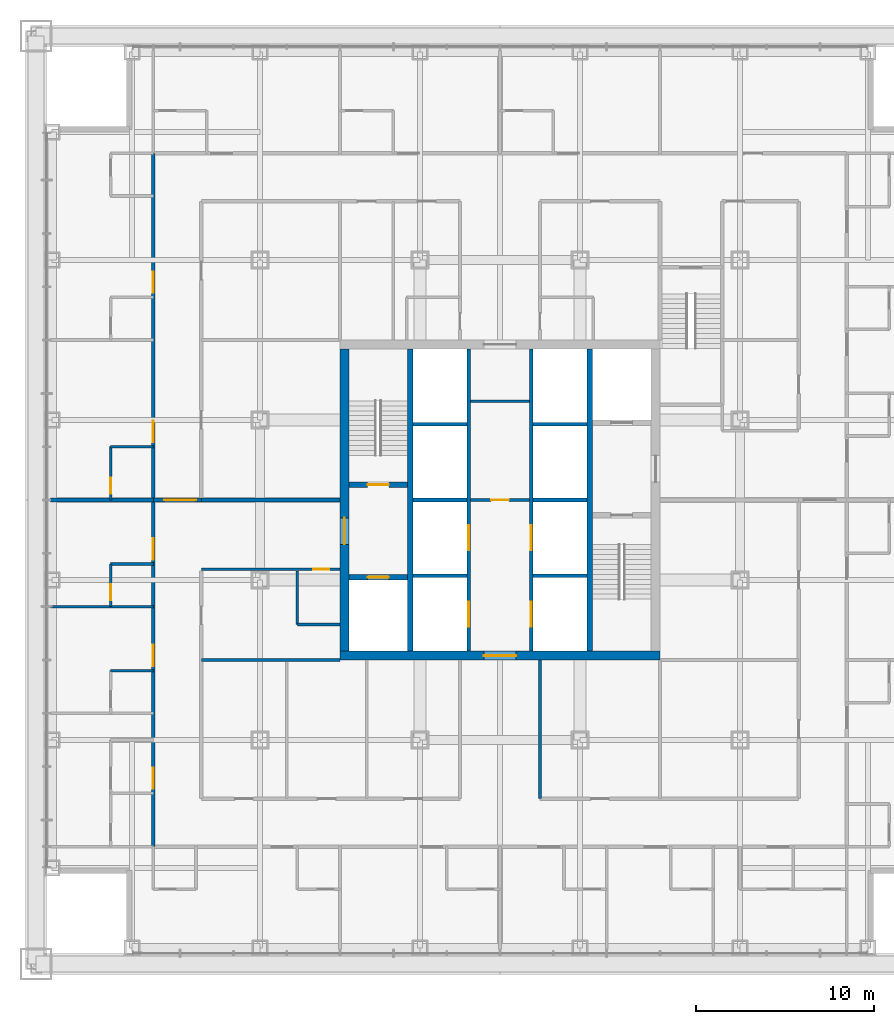
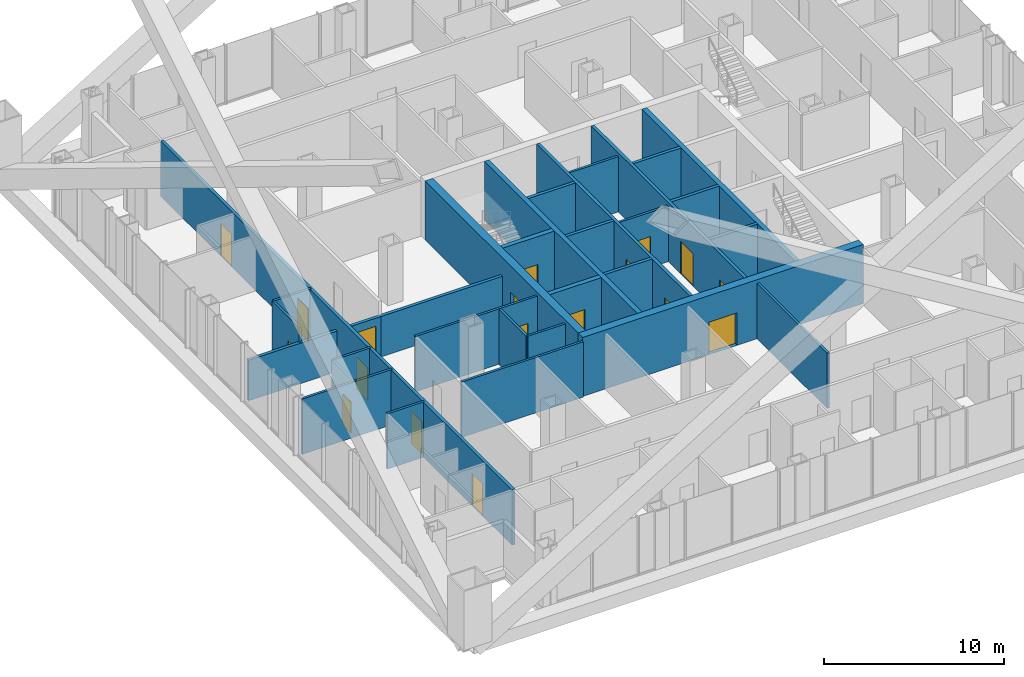
# One storey, part 13 of 21: 31 walls, 18 doors, 18 openings.
"""IFC4 building model written with IfcOpenShell, lengths in metres."""

from ifc_helpers import new_model, si_unit, direction, frame, frame_2d, origin, place, context, subcontext, project, spatial, rectangle, extrude, material, layer, layer_set, type_object, element, fill, save


model = new_model("IFC4")

# Units and contexts
model_context = context("Model", 3, precision=1e-05, world=origin(), true_north=direction((0.0, 1.0)))
body_context = subcontext(model_context, "Body", "Model", "MODEL_VIEW")
ifc_project = project(units=[si_unit("LENGTHUNIT", "METRE"), si_unit("AREAUNIT", "SQUARE_METRE"), si_unit("VOLUMEUNIT", "CUBIC_METRE"), si_unit("PLANEANGLEUNIT", "RADIAN"), si_unit("MASSUNIT", "GRAM", prefix="KILO")], contexts=[model_context])

# Site, building, storey
site_placement = place(None, origin())
site = spatial("IfcSite", under=ifc_project, at=site_placement, CompositionType="ELEMENT")
building_placement = place(site_placement, origin())
building = spatial("IfcBuilding", under=site, at=building_placement, Name="Malebo Sky Hospital", CompositionType="ELEMENT")
storey_placement = place(building_placement, frame((0.0, 0.0, 31.0)))
storey = spatial("IfcBuildingStorey", under=building, at=storey_placement, Name="L06", CompositionType="ELEMENT", Elevation=31.0)

# Wall, openings, doors
ifc_material_1 = material(Name="Concrete C80/95", Category="concrete")
ifc_layer_1 = layer(ifc_material_1, 0.199951171875)
ifc_layer_set_1 = layer_set([ifc_layer_1], Name="CORE INNER WALL 200")
wall_type_1 = type_object("IfcWallType", Name="CORE INNER WALL 200", PredefinedType="SHEAR", material=ifc_layer_set_1)
wall_1_placement = place(storey_placement, frame((58.25, 53.5, 0.0), z_axis=(0.0, 0.0, 1.0), x_axis=(0.0, 1.0, 0.0)))
wall_1 = element("IfcWall", 1, at=wall_1_placement, inside=storey, type_object=wall_type_1, Name="Core wall LW L06", PredefinedType="SHEAR", context=body_context, shape_type="SweptSolid", body=[
    extrude(rectangle(XDim=17.0, YDim=0.199951171875, at=frame_2d((8.5, 0.0))), origin(), (0.0, 0.0, 1.0), 4.0),
])
opening_1_placement = place(wall_1_placement, frame((1.375, 0.0, 0.0)))
opening_1 = element("IfcOpeningElement", 2, at=opening_1_placement, cuts=wall_1, Name="Opening LD1", PredefinedType="OPENING", context=body_context, shape_type="SweptSolid", body=[
    extrude(rectangle(XDim=1.39990234375, YDim=2.199951171875, at=frame_2d((0.699951171875, 1.10009765625))), frame((0.0, 0.10986328125, 0.0), z_axis=(0.0, -1.0, 0.0), x_axis=(1.0, 0.0, 0.0)), (0.0, 0.0, 1.0), 0.219970703125),
])
opening_2_placement = place(wall_1_placement, frame((5.675048828125, 0.0, 0.0)))
opening_2 = element("IfcOpeningElement", 3, at=opening_2_placement, cuts=wall_1, Name="Opening LD1", PredefinedType="OPENING", context=body_context, shape_type="SweptSolid", body=[
    extrude(rectangle(XDim=1.39990234375, YDim=2.199951171875, at=frame_2d((0.699951171875, 1.10009765625))), frame((0.0, 0.10986328125, 0.0), z_axis=(0.0, -1.0, 0.0), x_axis=(1.0, 0.0, 0.0)), (0.0, 0.0, 1.0), 0.219970703125),
])
ifc_material_2 = material(Name="Stainless steel sliding landing door", Category="steel")
door_type_1 = type_object("IfcDoorType", Name="LIFT LANDING DOOR 1400", OperationType="SLIDING_TO_LEFT", PredefinedType="DOOR", material=ifc_material_2)
door_1_placement = place(opening_1_placement, origin())
door_1 = element("IfcDoor", 4, at=door_1_placement, inside=storey, type_object=door_type_1, Name="Lift W1 landing door", OperationType="SLIDING_TO_LEFT", OverallHeight=2.199951171875, OverallWidth=1.39990234375, PredefinedType="DOOR", context=body_context, shape_type="SweptSolid", body=[
    extrude(rectangle(XDim=1.39990234375, YDim=2.199951171875, at=frame_2d((0.699951171875, 1.10009765625))), frame((0.0, 0.02490234375, 0.0), z_axis=(0.0, -1.0, 0.0), x_axis=(1.0, 0.0, 0.0)), (0.0, 0.0, 1.0), 0.050048828125),
])
fill(opening_1, door_1)
door_2_placement = place(opening_2_placement, origin())
door_2 = element("IfcDoor", 5, at=door_2_placement, inside=storey, type_object=door_type_1, Name="Lift W2 landing door", OperationType="SLIDING_TO_LEFT", OverallHeight=2.199951171875, OverallWidth=1.39990234375, PredefinedType="DOOR", context=body_context, shape_type="SweptSolid", body=[
    extrude(rectangle(XDim=1.39990234375, YDim=2.199951171875, at=frame_2d((0.699951171875, 1.10009765625))), frame((0.0, 0.02490234375, 0.0), z_axis=(0.0, -1.0, 0.0), x_axis=(1.0, 0.0, 0.0)), (0.0, 0.0, 1.0), 0.050048828125),
])
fill(opening_2, door_2)

wall_2_placement = place(storey_placement, frame((61.75, 53.5, 0.0), z_axis=(0.0, 0.0, 1.0), x_axis=(0.0, 1.0, 0.0)))
wall_2 = element("IfcWall", 6, at=wall_2_placement, inside=storey, type_object=wall_type_1, Name="Core wall LE L06", PredefinedType="SHEAR", context=body_context, shape_type="SweptSolid", body=[
    extrude(rectangle(XDim=17.0, YDim=0.199951171875, at=frame_2d((8.5, 0.0))), origin(), (0.0, 0.0, 1.0), 4.0),
])
opening_3_placement = place(wall_2_placement, frame((1.375, 0.0, 0.0)))
opening_3 = element("IfcOpeningElement", 7, at=opening_3_placement, cuts=wall_2, Name="Opening LD1", PredefinedType="OPENING", context=body_context, shape_type="SweptSolid", body=[
    extrude(rectangle(XDim=1.39990234375, YDim=2.199951171875, at=frame_2d((0.699951171875, 1.10009765625))), frame((0.0, 0.10986328125, 0.0), z_axis=(0.0, -1.0, 0.0), x_axis=(1.0, 0.0, 0.0)), (0.0, 0.0, 1.0), 0.219970703125),
])
opening_4_placement = place(wall_2_placement, frame((5.675048828125, 0.0, 0.0)))
opening_4 = element("IfcOpeningElement", 8, at=opening_4_placement, cuts=wall_2, Name="Opening LD1", PredefinedType="OPENING", context=body_context, shape_type="SweptSolid", body=[
    extrude(rectangle(XDim=1.39990234375, YDim=2.199951171875, at=frame_2d((0.699951171875, 1.10009765625))), frame((0.0, 0.10986328125, 0.0), z_axis=(0.0, -1.0, 0.0), x_axis=(1.0, 0.0, 0.0)), (0.0, 0.0, 1.0), 0.219970703125),
])
door_3_placement = place(opening_3_placement, origin())
door_3 = element("IfcDoor", 9, at=door_3_placement, inside=storey, type_object=door_type_1, Name="Lift E1 landing door", OperationType="SLIDING_TO_LEFT", OverallHeight=2.199951171875, OverallWidth=1.39990234375, PredefinedType="DOOR", context=body_context, shape_type="SweptSolid", body=[
    extrude(rectangle(XDim=1.39990234375, YDim=2.199951171875, at=frame_2d((0.699951171875, 1.10009765625))), frame((0.0, 0.02490234375, 0.0), z_axis=(0.0, -1.0, 0.0), x_axis=(1.0, 0.0, 0.0)), (0.0, 0.0, 1.0), 0.050048828125),
])
fill(opening_3, door_3)
door_4_placement = place(opening_4_placement, origin())
door_4 = element("IfcDoor", 10, at=door_4_placement, inside=storey, type_object=door_type_1, Name="Lift E2 landing door", OperationType="SLIDING_TO_LEFT", OverallHeight=2.199951171875, OverallWidth=1.39990234375, PredefinedType="DOOR", context=body_context, shape_type="SweptSolid", body=[
    extrude(rectangle(XDim=1.39990234375, YDim=2.199951171875, at=frame_2d((0.699951171875, 1.10009765625))), frame((0.0, 0.02490234375, 0.0), z_axis=(0.0, -1.0, 0.0), x_axis=(1.0, 0.0, 0.0)), (0.0, 0.0, 1.0), 0.050048828125),
])
fill(opening_4, door_4)

# Walls
for number, where, z_axis, x_axis, name in (
    (11, (55.10009765625, 57.75, 0.0), (0.0, 0.0, 1.0), (1.0, 0.0, 0.0), "Core wall SW0 L06"),
    (12, (61.85009765625, 57.75, 0.0), (0.0, 0.0, 1.0), (1.0, 0.0, 0.0), "Core wall SE0 L06"),
    (13, (55.10009765625, 62.0, 0.0), (0.0, 0.0, 1.0), (1.0, 0.0, 0.0), "Core wall SW1 L06"),
    (14, (61.85009765625, 62.0, 0.0), (0.0, 0.0, 1.0), (1.0, 0.0, 0.0), "Core wall SE1 L06"),
    (15, (55.10009765625, 66.25, 0.0), (0.0, 0.0, 1.0), (1.0, 0.0, 0.0), "Core wall SW2 L06"),
    (16, (61.85009765625, 66.25, 0.0), (0.0, 0.0, 1.0), (1.0, 0.0, 0.0), "Core wall SE2 L06"),
):
    element("IfcWall", number, at=place(storey_placement, frame(where, z_axis=z_axis, x_axis=x_axis)), inside=storey, type_object=wall_type_1, Name=name, PredefinedType="SHEAR", context=body_context, shape_type="SweptSolid", body=[
        extrude(rectangle(XDim=3.0498046875, YDim=0.199951171875, at=frame_2d((1.52490234375, 0.0))), origin(), (0.0, 0.0, 1.0), 4.0),
    ])
ifc_layer_2 = layer(ifc_material_1, 0.300048828125)
ifc_layer_set_2 = layer_set([ifc_layer_2], Name="CORE INNER WALL 300")
wall_type_2 = type_object("IfcWallType", Name="CORE INNER WALL 300", PredefinedType="SHEAR", material=ifc_layer_set_2)
for number, where, z_axis, x_axis, name in (
    (17, (54.949951171875, 53.5, 0.0), (0.0, 0.0, 1.0), (0.0, 1.0, 0.0), "Core wall XW L06"),
    (18, (65.050048828125, 53.5, 0.0), (0.0, 0.0, 1.0), (0.0, 1.0, 0.0), "Core wall XE L06"),
):
    element("IfcWall", number, at=place(storey_placement, frame(where, z_axis=z_axis, x_axis=x_axis)), inside=storey, type_object=wall_type_2, Name=name, PredefinedType="SHEAR", context=body_context, shape_type="SweptSolid", body=[
        extrude(rectangle(XDim=17.0, YDim=0.300048828125, at=frame_2d((8.5, 0.0))), origin(), (0.0, 0.0, 1.0), 4.0),
    ])

# Wall, opening, door
wall_3_placement = place(storey_placement, frame((51.5, 62.85009765625, 0.0), z_axis=(0.0, 0.0, 1.0), x_axis=(1.0, 0.0, 0.0)))
wall_3 = element("IfcWall", 19, at=wall_3_placement, inside=storey, type_object=wall_type_2, Name="Core wall W1 L06", PredefinedType="SHEAR", context=body_context, shape_type="SweptSolid", body=[
    extrude(rectangle(XDim=3.300048828125, YDim=0.300048828125, at=frame_2d((1.64990234375, 0.0))), origin(), (0.0, 0.0, 1.0), 4.0),
])
opening_5_placement = place(wall_3_placement, frame((1.050048828125, 0.0, 0.0)))
opening_5 = element("IfcOpeningElement", 20, at=opening_5_placement, cuts=wall_3, Name="Opening D08", PredefinedType="OPENING", context=body_context, shape_type="SweptSolid", body=[
    extrude(rectangle(XDim=1.199951171875, YDim=2.10009765625, at=frame_2d((0.60009765625, 1.050048828125))), frame((0.0, 0.159912109375, 0.0), z_axis=(0.0, -1.0, 0.0), x_axis=(1.0, 0.0, 0.0)), (0.0, 0.0, 1.0), 0.320068359375),
])
ifc_material_3 = material(Name="Hardwood-faced door leaf in steel frame", Category="steel")
door_type_2 = type_object("IfcDoorType", Name="STAIR DOOR 1200", OperationType="SINGLE_SWING_LEFT", PredefinedType="DOOR", material=ifc_material_3)
door_5_placement = place(opening_5_placement, origin())
door_5 = element("IfcDoor", 21, at=door_5_placement, inside=storey, type_object=door_type_2, Name="Stair S1 door", OperationType="SINGLE_SWING_LEFT", OverallHeight=2.10009765625, OverallWidth=1.199951171875, PredefinedType="DOOR", context=body_context, shape_type="SweptSolid", body=[
    extrude(rectangle(XDim=1.199951171875, YDim=2.10009765625, at=frame_2d((0.60009765625, 1.050048828125))), frame((0.0, 0.02490234375, 0.0), z_axis=(0.0, -1.0, 0.0), x_axis=(1.0, 0.0, 0.0)), (0.0, 0.0, 1.0), 0.050048828125),
])
fill(opening_5, door_5)

wall_4_placement = place(storey_placement, frame((51.5, 57.64990234375, 0.0), z_axis=(0.0, 0.0, 1.0), x_axis=(1.0, 0.0, 0.0)))
wall_4 = element("IfcWall", 22, at=wall_4_placement, inside=storey, type_object=wall_type_2, Name="Core wall W2 L06", PredefinedType="SHEAR", context=body_context, shape_type="SweptSolid", body=[
    extrude(rectangle(XDim=3.300048828125, YDim=0.300048828125, at=frame_2d((1.64990234375, 0.0))), origin(), (0.0, 0.0, 1.0), 4.0),
])
opening_6_placement = place(wall_4_placement, frame((1.050048828125, 0.0, 0.0)))
opening_6 = element("IfcOpeningElement", 23, at=opening_6_placement, cuts=wall_4, Name="Opening LD2", PredefinedType="OPENING", context=body_context, shape_type="SweptSolid", body=[
    extrude(rectangle(XDim=1.199951171875, YDim=2.199951171875, at=frame_2d((0.60009765625, 1.10009765625))), frame((0.0, 0.159912109375, 0.0), z_axis=(0.0, -1.0, 0.0), x_axis=(1.0, 0.0, 0.0)), (0.0, 0.0, 1.0), 0.320068359375),
])
door_type_3 = type_object("IfcDoorType", Name="FIRE-FIGHTING LIFT LANDING DOOR 1200", OperationType="SLIDING_TO_LEFT", PredefinedType="DOOR", material=ifc_material_2)
door_6_placement = place(opening_6_placement, origin())
door_6 = element("IfcDoor", 24, at=door_6_placement, inside=storey, type_object=door_type_3, Name="Lift FL1 landing door", OperationType="SLIDING_TO_LEFT", OverallHeight=2.199951171875, OverallWidth=1.199951171875, PredefinedType="DOOR", context=body_context, shape_type="SweptSolid", body=[
    extrude(rectangle(XDim=1.199951171875, YDim=2.199951171875, at=frame_2d((0.60009765625, 1.10009765625))), frame((0.0, 0.02490234375, 0.0), z_axis=(0.0, -1.0, 0.0), x_axis=(1.0, 0.0, 0.0)), (0.0, 0.0, 1.0), 0.050048828125),
])
fill(opening_6, door_6)

ifc_layer_3 = layer(ifc_material_1, 0.5)
ifc_layer_set_3 = layer_set([ifc_layer_3], Name="CORE WALL 500")
wall_type_3 = type_object("IfcWallType", Name="CORE WALL 500", PredefinedType="SHEAR", material=ifc_layer_set_3)
wall_5_placement = place(storey_placement, frame((51.0, 53.25, 0.0), z_axis=(0.0, 0.0, 1.0), x_axis=(1.0, 0.0, 0.0)))
wall_5 = element("IfcWall", 25, at=wall_5_placement, inside=storey, type_object=wall_type_3, Name="Core wall S L06", PredefinedType="SHEAR", context=body_context, shape_type="SweptSolid", body=[
    extrude(rectangle(XDim=18.0, YDim=0.5, at=frame_2d((9.0, 0.0))), origin(), (0.0, 0.0, 1.0), 4.0),
])
opening_7_placement = place(wall_5_placement, frame((8.10009765625, 0.0, 0.0)))
opening_7 = element("IfcOpeningElement", 26, at=opening_7_placement, cuts=wall_5, Name="Opening D06", PredefinedType="OPENING", context=body_context, shape_type="SweptSolid", body=[
    extrude(rectangle(XDim=1.800048828125, YDim=2.199951171875, at=frame_2d((0.89990234375, 1.10009765625))), frame((0.0, 0.260009765625, 0.0), z_axis=(0.0, -1.0, 0.0), x_axis=(1.0, 0.0, 0.0)), (0.0, 0.0, 1.0), 0.52001953125),
])
door_type_4 = type_object("IfcDoorType", Name="LOBBY DOOR PAIR 1800", OperationType="DOUBLE_DOOR_SINGLE_SWING", PredefinedType="DOOR", material=ifc_material_3)
door_7_placement = place(opening_7_placement, origin())
door_7 = element("IfcDoor", 27, at=door_7_placement, inside=storey, type_object=door_type_4, Name="Lift lobby door south", OperationType="DOUBLE_DOOR_SINGLE_SWING", OverallHeight=2.199951171875, OverallWidth=1.800048828125, PredefinedType="DOOR", context=body_context, shape_type="SweptSolid", body=[
    extrude(rectangle(XDim=1.800048828125, YDim=2.199951171875, at=frame_2d((0.89990234375, 1.10009765625))), frame((0.0, 0.02490234375, 0.0), z_axis=(0.0, -1.0, 0.0), x_axis=(1.0, 0.0, 0.0)), (0.0, 0.0, 1.0), 0.050048828125),
])
fill(opening_7, door_7)

wall_6_placement = place(storey_placement, frame((51.25, 53.5, 0.0), z_axis=(0.0, 0.0, 1.0), x_axis=(0.0, 1.0, 0.0)))
wall_6 = element("IfcWall", 28, at=wall_6_placement, inside=storey, type_object=wall_type_3, Name="Core wall W L06", PredefinedType="SHEAR", context=body_context, shape_type="SweptSolid", body=[
    extrude(rectangle(XDim=17.0, YDim=0.5, at=frame_2d((8.5, 0.0))), origin(), (0.0, 0.0, 1.0), 4.0),
])
opening_8_placement = place(wall_6_placement, frame((6.0, 0.0, 0.0)))
opening_8 = element("IfcOpeningElement", 29, at=opening_8_placement, cuts=wall_6, Name="Opening D07", PredefinedType="OPENING", context=body_context, shape_type="SweptSolid", body=[
    extrude(rectangle(XDim=1.5, YDim=2.199951171875, at=frame_2d((0.75, 1.10009765625))), frame((0.0, 0.260009765625, 0.0), z_axis=(0.0, -1.0, 0.0), x_axis=(1.0, 0.0, 0.0)), (0.0, 0.0, 1.0), 0.52001953125),
])
door_type_5 = type_object("IfcDoorType", Name="FIRE-FIGHTING LOBBY DOOR PAIR 1500", OperationType="DOUBLE_DOOR_SINGLE_SWING", PredefinedType="DOOR", material=ifc_material_3)
door_8_placement = place(opening_8_placement, origin())
door_8 = element("IfcDoor", 30, at=door_8_placement, inside=storey, type_object=door_type_5, Name="Fire-fighting lobby door west", OperationType="DOUBLE_DOOR_SINGLE_SWING", OverallHeight=2.199951171875, OverallWidth=1.5, PredefinedType="DOOR", context=body_context, shape_type="SweptSolid", body=[
    extrude(rectangle(XDim=1.5, YDim=2.199951171875, at=frame_2d((0.75, 1.10009765625))), frame((0.0, 0.02490234375, 0.0), z_axis=(0.0, -1.0, 0.0), x_axis=(1.0, 0.0, 0.0)), (0.0, 0.0, 1.0), 0.050048828125),
])
fill(opening_8, door_8)

# Wall, openings, doors
ifc_material_4 = material(Name="Gypsum board on steel studs", Category="steel")
ifc_layer_4 = layer(ifc_material_4, 0.199951171875)
ifc_layer_set_4 = layer_set([ifc_layer_4], Name="CORRIDOR WALL 200")
wall_type_4 = type_object("IfcWallType", Name="CORRIDOR WALL 200", PredefinedType="PARTITIONING", material=ifc_layer_set_4)
wall_7_placement = place(storey_placement, frame((40.5, 42.5, 0.0), z_axis=(0.0, 0.0, 1.0), x_axis=(0.0, 1.0, 0.0)))
wall_7 = element("IfcWall", 31, at=wall_7_placement, inside=storey, type_object=wall_type_4, Name="Corridor Wall 200 WCO", PredefinedType="PARTITIONING", context=body_context, shape_type="SweptSolid", body=[
    extrude(rectangle(XDim=39.0, YDim=0.199951171875, at=frame_2d((19.5, 0.0))), origin(), (0.0, 0.0, 1.0), 3.75),
])
opening_9_placement = place(wall_7_placement, frame((3.25, 0.0, 0.0)))
opening_9 = element("IfcOpeningElement", 32, at=opening_9_placement, cuts=wall_7, Name="Opening D18", PredefinedType="OPENING", context=body_context, shape_type="SweptSolid", body=[
    extrude(rectangle(XDim=1.199951171875, YDim=2.199951171875, at=frame_2d((0.60009765625, 1.10009765625))), frame((0.0, 0.10986328125, 0.0), z_axis=(0.0, -1.0, 0.0), x_axis=(1.0, 0.0, 0.0)), (0.0, 0.0, 1.0), 0.219970703125),
])
opening_10_placement = place(wall_7_placement, frame((10.14990234375, 0.0, 0.0)))
opening_10 = element("IfcOpeningElement", 33, at=opening_10_placement, cuts=wall_7, Name="Opening D01", PredefinedType="OPENING", context=body_context, shape_type="SweptSolid", body=[
    extrude(rectangle(XDim=1.199951171875, YDim=2.199951171875, at=frame_2d((0.60009765625, 1.10009765625))), frame((0.0, 0.10986328125, 0.0), z_axis=(0.0, -1.0, 0.0), x_axis=(1.0, 0.0, 0.0)), (0.0, 0.0, 1.0), 0.219970703125),
])
opening_11_placement = place(wall_7_placement, frame((16.14990234375, 0.0, 0.0)))
opening_11 = element("IfcOpeningElement", 34, at=opening_11_placement, cuts=wall_7, Name="Opening D01", PredefinedType="OPENING", context=body_context, shape_type="SweptSolid", body=[
    extrude(rectangle(XDim=1.199951171875, YDim=2.199951171875, at=frame_2d((0.60009765625, 1.10009765625))), frame((0.0, 0.10986328125, 0.0), z_axis=(0.0, -1.0, 0.0), x_axis=(1.0, 0.0, 0.0)), (0.0, 0.0, 1.0), 0.219970703125),
])
opening_12_placement = place(wall_7_placement, frame((22.75, 0.0, 0.0)))
opening_12 = element("IfcOpeningElement", 35, at=opening_12_placement, cuts=wall_7, Name="Opening D01", PredefinedType="OPENING", context=body_context, shape_type="SweptSolid", body=[
    extrude(rectangle(XDim=1.199951171875, YDim=2.199951171875, at=frame_2d((0.60009765625, 1.10009765625))), frame((0.0, 0.10986328125, 0.0), z_axis=(0.0, -1.0, 0.0), x_axis=(1.0, 0.0, 0.0)), (0.0, 0.0, 1.0), 0.219970703125),
])
opening_13_placement = place(wall_7_placement, frame((31.14990234375, 0.0, 0.0)))
opening_13 = element("IfcOpeningElement", 36, at=opening_13_placement, cuts=wall_7, Name="Opening D01", PredefinedType="OPENING", context=body_context, shape_type="SweptSolid", body=[
    extrude(rectangle(XDim=1.199951171875, YDim=2.199951171875, at=frame_2d((0.60009765625, 1.10009765625))), frame((0.0, 0.10986328125, 0.0), z_axis=(0.0, -1.0, 0.0), x_axis=(1.0, 0.0, 0.0)), (0.0, 0.0, 1.0), 0.219970703125),
])
door_type_6 = type_object("IfcDoorType", Name="ANTEROOM DOOR 1200", OperationType="SINGLE_SWING_LEFT", PredefinedType="DOOR", material=ifc_material_3)
door_9_placement = place(opening_9_placement, origin())
door_9 = element("IfcDoor", 37, at=door_9_placement, inside=storey, type_object=door_type_6, Name="Anteroom door", OperationType="SINGLE_SWING_LEFT", OverallHeight=2.199951171875, OverallWidth=1.199951171875, PredefinedType="DOOR", context=body_context, shape_type="SweptSolid", body=[
    extrude(rectangle(XDim=1.199951171875, YDim=2.199951171875, at=frame_2d((0.60009765625, 1.10009765625))), frame((0.0, 0.02490234375, 0.0), z_axis=(0.0, -1.0, 0.0), x_axis=(1.0, 0.0, 0.0)), (0.0, 0.0, 1.0), 0.050048828125),
])
fill(opening_9, door_9)
door_type_7 = type_object("IfcDoorType", Name="BED DOOR 1200", OperationType="SINGLE_SWING_LEFT", PredefinedType="DOOR", material=ifc_material_3)
door_10_placement = place(opening_10_placement, origin())
door_10 = element("IfcDoor", 38, at=door_10_placement, inside=storey, type_object=door_type_7, Name="Single bed room door", OperationType="SINGLE_SWING_LEFT", OverallHeight=2.199951171875, OverallWidth=1.199951171875, PredefinedType="DOOR", context=body_context, shape_type="SweptSolid", body=[
    extrude(rectangle(XDim=1.199951171875, YDim=2.199951171875, at=frame_2d((0.60009765625, 1.10009765625))), frame((0.0, 0.02490234375, 0.0), z_axis=(0.0, -1.0, 0.0), x_axis=(1.0, 0.0, 0.0)), (0.0, 0.0, 1.0), 0.050048828125),
])
fill(opening_10, door_10)
door_11_placement = place(opening_11_placement, origin())
door_11 = element("IfcDoor", 39, at=door_11_placement, inside=storey, type_object=door_type_7, Name="Two-bed room door", OperationType="SINGLE_SWING_LEFT", OverallHeight=2.199951171875, OverallWidth=1.199951171875, PredefinedType="DOOR", context=body_context, shape_type="SweptSolid", body=[
    extrude(rectangle(XDim=1.199951171875, YDim=2.199951171875, at=frame_2d((0.60009765625, 1.10009765625))), frame((0.0, 0.02490234375, 0.0), z_axis=(0.0, -1.0, 0.0), x_axis=(1.0, 0.0, 0.0)), (0.0, 0.0, 1.0), 0.050048828125),
])
fill(opening_11, door_11)
door_12_placement = place(opening_12_placement, origin())
door_12 = element("IfcDoor", 40, at=door_12_placement, inside=storey, type_object=door_type_7, Name="Two-bed room door", OperationType="SINGLE_SWING_LEFT", OverallHeight=2.199951171875, OverallWidth=1.199951171875, PredefinedType="DOOR", context=body_context, shape_type="SweptSolid", body=[
    extrude(rectangle(XDim=1.199951171875, YDim=2.199951171875, at=frame_2d((0.60009765625, 1.10009765625))), frame((0.0, 0.02490234375, 0.0), z_axis=(0.0, -1.0, 0.0), x_axis=(1.0, 0.0, 0.0)), (0.0, 0.0, 1.0), 0.050048828125),
])
fill(opening_12, door_12)
door_13_placement = place(opening_13_placement, origin())
door_13 = element("IfcDoor", 41, at=door_13_placement, inside=storey, type_object=door_type_7, Name="Four-bed bay door", OperationType="SINGLE_SWING_LEFT", OverallHeight=2.199951171875, OverallWidth=1.199951171875, PredefinedType="DOOR", context=body_context, shape_type="SweptSolid", body=[
    extrude(rectangle(XDim=1.199951171875, YDim=2.199951171875, at=frame_2d((0.60009765625, 1.10009765625))), frame((0.0, 0.02490234375, 0.0), z_axis=(0.0, -1.0, 0.0), x_axis=(1.0, 0.0, 0.0)), (0.0, 0.0, 1.0), 0.050048828125),
])
fill(opening_13, door_13)

# Walls
ifc_layer_5 = layer(ifc_material_4, 0.14990234375)
ifc_layer_set_5 = layer_set([ifc_layer_5], Name="PARTITION 150")
wall_type_5 = type_object("IfcWallType", Name="PARTITION 150", PredefinedType="PARTITIONING", material=ifc_layer_set_5)
wall_8_placement = place(storey_placement, frame((40.5, 56.0, 0.0), z_axis=(0.0, 0.0, 1.0), x_axis=(-1.0, 0.0, 0.0)))
element("IfcWall", 42, at=wall_8_placement, inside=storey, type_object=wall_type_5, Name="Partition 150 WP-6.0", PredefinedType="PARTITIONING", context=body_context, shape_type="SweptSolid", body=[
    extrude(rectangle(XDim=5.77490234375, YDim=0.14990234375, at=frame_2d((2.887451171875, 0.0))), origin(), (0.0, 0.0, 1.0), 3.75),
])
wall_9_placement = place(storey_placement, frame((40.5, 52.39990234375, 0.0), z_axis=(0.0, 0.0, 1.0), x_axis=(-1.0, 0.0, 0.0)))
element("IfcWall", 43, at=wall_9_placement, inside=storey, type_object=wall_type_5, Name="Partition 150 WE1S", PredefinedType="PARTITIONING", context=body_context, shape_type="SweptSolid", body=[
    extrude(rectangle(XDim=2.39990234375, YDim=0.14990234375, at=frame_2d((1.199951171875, 0.0))), origin(), (0.0, 0.0, 1.0), 3.75),
])

# Wall, opening, door
wall_10_placement = place(storey_placement, frame((38.10009765625, 56.0, 0.0), z_axis=(0.0, 0.0, 1.0), x_axis=(0.0, 1.0, 0.0)))
wall_10 = element("IfcWall", 44, at=wall_10_placement, inside=storey, type_object=wall_type_5, Name="Partition 150 WE2F", PredefinedType="PARTITIONING", context=body_context, shape_type="SweptSolid", body=[
    extrude(rectangle(XDim=2.39990234375, YDim=0.14990234375, at=frame_2d((1.199951171875, 0.0))), origin(), (0.0, 0.0, 1.0), 3.75),
])
opening_14_placement = place(wall_10_placement, frame((0.35009765625, 0.0, 0.0)))
opening_14 = element("IfcOpeningElement", 45, at=opening_14_placement, cuts=wall_10, Name="Opening D02", PredefinedType="OPENING", context=body_context, shape_type="SweptSolid", body=[
    extrude(rectangle(XDim=0.89990234375, YDim=2.10009765625, at=frame_2d((0.449951171875, 1.050048828125))), frame((0.0, 0.0849609375, 0.0), z_axis=(0.0, -1.0, 0.0), x_axis=(1.0, 0.0, 0.0)), (0.0, 0.0, 1.0), 0.169921875),
])
door_type_8 = type_object("IfcDoorType", Name="EN-SUITE DOOR 900", OperationType="SINGLE_SWING_LEFT", PredefinedType="DOOR", material=ifc_material_3)
door_14_placement = place(opening_14_placement, origin())
door_14 = element("IfcDoor", 46, at=door_14_placement, inside=storey, type_object=door_type_8, Name="En-suite door", OperationType="SINGLE_SWING_LEFT", OverallHeight=2.10009765625, OverallWidth=0.89990234375, PredefinedType="DOOR", context=body_context, shape_type="SweptSolid", body=[
    extrude(rectangle(XDim=0.89990234375, YDim=2.10009765625, at=frame_2d((0.449951171875, 1.050048828125))), frame((0.0, 0.02490234375, 0.0), z_axis=(0.0, -1.0, 0.0), x_axis=(1.0, 0.0, 0.0)), (0.0, 0.0, 1.0), 0.050048828125),
])
fill(opening_14, door_14)

# Wall
wall_11_placement = place(storey_placement, frame((40.5, 58.39990234375, 0.0), z_axis=(0.0, 0.0, 1.0), x_axis=(-1.0, 0.0, 0.0)))
element("IfcWall", 47, at=wall_11_placement, inside=storey, type_object=wall_type_5, Name="Partition 150 WE2S", PredefinedType="PARTITIONING", context=body_context, shape_type="SweptSolid", body=[
    extrude(rectangle(XDim=2.39990234375, YDim=0.14990234375, at=frame_2d((1.199951171875, 0.0))), origin(), (0.0, 0.0, 1.0), 3.75),
])

# Wall, opening, door
wall_12_placement = place(storey_placement, frame((38.10009765625, 62.0, 0.0), z_axis=(0.0, 0.0, 1.0), x_axis=(0.0, 1.0, 0.0)))
wall_12 = element("IfcWall", 48, at=wall_12_placement, inside=storey, type_object=wall_type_5, Name="Partition 150 WE3F", PredefinedType="PARTITIONING", context=body_context, shape_type="SweptSolid", body=[
    extrude(rectangle(XDim=3.0, YDim=0.14990234375, at=frame_2d((1.5, 0.0))), origin(), (0.0, 0.0, 1.0), 3.75),
])
opening_15_placement = place(wall_12_placement, frame((0.35009765625, 0.0, 0.0)))
opening_15 = element("IfcOpeningElement", 49, at=opening_15_placement, cuts=wall_12, Name="Opening D02", PredefinedType="OPENING", context=body_context, shape_type="SweptSolid", body=[
    extrude(rectangle(XDim=0.89990234375, YDim=2.10009765625, at=frame_2d((0.449951171875, 1.050048828125))), frame((0.0, 0.0849609375, 0.0), z_axis=(0.0, -1.0, 0.0), x_axis=(1.0, 0.0, 0.0)), (0.0, 0.0, 1.0), 0.169921875),
])
door_15_placement = place(opening_15_placement, origin())
door_15 = element("IfcDoor", 50, at=door_15_placement, inside=storey, type_object=door_type_8, Name="En-suite door", OperationType="SINGLE_SWING_LEFT", OverallHeight=2.10009765625, OverallWidth=0.89990234375, PredefinedType="DOOR", context=body_context, shape_type="SweptSolid", body=[
    extrude(rectangle(XDim=0.89990234375, YDim=2.10009765625, at=frame_2d((0.449951171875, 1.050048828125))), frame((0.0, 0.02490234375, 0.0), z_axis=(0.0, -1.0, 0.0), x_axis=(1.0, 0.0, 0.0)), (0.0, 0.0, 1.0), 0.050048828125),
])
fill(opening_15, door_15)

# Walls
wall_13_placement = place(storey_placement, frame((40.5, 65.0, 0.0), z_axis=(0.0, 0.0, 1.0), x_axis=(-1.0, 0.0, 0.0)))
element("IfcWall", 51, at=wall_13_placement, inside=storey, type_object=wall_type_5, Name="Partition 150 WE3S", PredefinedType="PARTITIONING", context=body_context, shape_type="SweptSolid", body=[
    extrude(rectangle(XDim=2.39990234375, YDim=0.14990234375, at=frame_2d((1.199951171875, 0.0))), origin(), (0.0, 0.0, 1.0), 3.75),
])
wall_14_placement = place(storey_placement, frame((51.0, 53.0, 0.0), z_axis=(0.0, 0.0, 1.0), x_axis=(-1.0, 0.0, 0.0)))
element("IfcWall", 52, at=wall_14_placement, inside=storey, type_object=wall_type_5, Name="Partition 150 WSP0", PredefinedType="PARTITIONING", context=body_context, shape_type="SweptSolid", body=[
    extrude(rectangle(XDim=7.800048828125, YDim=0.14990234375, at=frame_2d((3.89990234375, 0.0))), origin(), (0.0, 0.0, 1.0), 3.75),
])

# Wall, opening, door
wall_15_placement = place(storey_placement, frame((51.0, 58.10009765625, 0.0), z_axis=(0.0, 0.0, 1.0), x_axis=(-1.0, 0.0, 0.0)))
wall_15 = element("IfcWall", 53, at=wall_15_placement, inside=storey, type_object=wall_type_5, Name="Partition 150 WSPA", PredefinedType="PARTITIONING", context=body_context, shape_type="SweptSolid", body=[
    extrude(rectangle(XDim=7.800048828125, YDim=0.14990234375, at=frame_2d((3.89990234375, 0.0))), origin(), (0.0, 0.0, 1.0), 3.75),
])
opening_16_placement = place(wall_15_placement, frame((0.60009765625, 0.0, 0.0)))
opening_16 = element("IfcOpeningElement", 54, at=opening_16_placement, cuts=wall_15, Name="Opening D04", PredefinedType="OPENING", context=body_context, shape_type="SweptSolid", body=[
    extrude(rectangle(XDim=0.89990234375, YDim=2.10009765625, at=frame_2d((0.449951171875, 1.050048828125))), frame((0.0, 0.0849609375, 0.0), z_axis=(0.0, -1.0, 0.0), x_axis=(1.0, 0.0, 0.0)), (0.0, 0.0, 1.0), 0.169921875),
])
door_type_9 = type_object("IfcDoorType", Name="ROOM DOOR 900", OperationType="SINGLE_SWING_LEFT", PredefinedType="DOOR", material=ifc_material_3)
door_16_placement = place(opening_16_placement, origin())
door_16 = element("IfcDoor", 55, at=door_16_placement, inside=storey, type_object=door_type_9, Name="Cleaner's room door", OperationType="SINGLE_SWING_LEFT", OverallHeight=2.10009765625, OverallWidth=0.89990234375, PredefinedType="DOOR", context=body_context, shape_type="SweptSolid", body=[
    extrude(rectangle(XDim=0.89990234375, YDim=2.10009765625, at=frame_2d((0.449951171875, 1.050048828125))), frame((0.0, 0.02490234375, 0.0), z_axis=(0.0, -1.0, 0.0), x_axis=(1.0, 0.0, 0.0)), (0.0, 0.0, 1.0), 0.050048828125),
])
fill(opening_16, door_16)

# Walls
wall_16_placement = place(storey_placement, frame((48.60009765625, 55.0, 0.0), z_axis=(0.0, 0.0, 1.0), x_axis=(0.0, 1.0, 0.0)))
element("IfcWall", 56, at=wall_16_placement, inside=storey, type_object=wall_type_5, Name="Partition 150 WSX0", PredefinedType="PARTITIONING", context=body_context, shape_type="SweptSolid", body=[
    extrude(rectangle(XDim=3.0, YDim=0.14990234375, at=frame_2d((1.5, 0.0))), origin(), (0.0, 0.0, 1.0), 3.75),
])
wall_17_placement = place(storey_placement, frame((51.0, 55.0, 0.0), z_axis=(0.0, 0.0, 1.0), x_axis=(-1.0, 0.0, 0.0)))
element("IfcWall", 57, at=wall_17_placement, inside=storey, type_object=wall_type_5, Name="Partition 150 WSY0", PredefinedType="PARTITIONING", context=body_context, shape_type="SweptSolid", body=[
    extrude(rectangle(XDim=2.39990234375, YDim=0.14990234375, at=frame_2d((1.199951171875, 0.0))), origin(), (0.0, 0.0, 1.0), 3.75),
])
wall_18_placement = place(storey_placement, frame((62.25, 53.0, 0.0), z_axis=(0.0, 0.0, 1.0), x_axis=(0.0, -1.0, 0.0)))
element("IfcWall", 58, at=wall_18_placement, inside=storey, type_object=wall_type_5, Name="Partition 150 SSPA", PredefinedType="PARTITIONING", context=body_context, shape_type="SweptSolid", body=[
    extrude(rectangle(XDim=7.800048828125, YDim=0.14990234375, at=frame_2d((3.89990234375, 0.0))), origin(), (0.0, 0.0, 1.0), 3.75),
])

# Wall, opening, door
wall_19_placement = place(storey_placement, frame((58.35009765625, 62.0, 0.0), z_axis=(0.0, 0.0, 1.0), x_axis=(1.0, 0.0, 0.0)))
wall_19 = element("IfcWall", 59, at=wall_19_placement, inside=storey, type_object=wall_type_5, Name="Partition 150 LBN", PredefinedType="PARTITIONING", context=body_context, shape_type="SweptSolid", body=[
    extrude(rectangle(XDim=3.2998046875, YDim=0.14990234375, at=frame_2d((1.64990234375, 0.0))), origin(), (0.0, 0.0, 1.0), 3.75),
])
opening_17_placement = place(wall_19_placement, frame((1.14990234375, 0.0, 0.0)))
opening_17 = element("IfcOpeningElement", 60, at=opening_17_placement, cuts=wall_19, Name="Opening D03", PredefinedType="OPENING", context=body_context, shape_type="SweptSolid", body=[
    extrude(rectangle(XDim=1.0, YDim=2.10009765625, at=frame_2d((0.5, 1.050048828125))), frame((0.0, 0.0849609375, 0.0), z_axis=(0.0, -1.0, 0.0), x_axis=(1.0, 0.0, 0.0)), (0.0, 0.0, 1.0), 0.169921875),
])
door_type_10 = type_object("IfcDoorType", Name="ROOM DOOR 1000", OperationType="SINGLE_SWING_LEFT", PredefinedType="DOOR", material=ifc_material_3)
door_17_placement = place(opening_17_placement, origin())
door_17 = element("IfcDoor", 61, at=door_17_placement, inside=storey, type_object=door_type_10, Name="Housekeeping store door", OperationType="SINGLE_SWING_LEFT", OverallHeight=2.10009765625, OverallWidth=1.0, PredefinedType="DOOR", context=body_context, shape_type="SweptSolid", body=[
    extrude(rectangle(XDim=1.0, YDim=2.10009765625, at=frame_2d((0.5, 1.050048828125))), frame((0.0, 0.02490234375, 0.0), z_axis=(0.0, -1.0, 0.0), x_axis=(1.0, 0.0, 0.0)), (0.0, 0.0, 1.0), 0.050048828125),
])
fill(opening_17, door_17)

# Walls
wall_20_placement = place(storey_placement, frame((58.35009765625, 67.55126953125, 0.0), z_axis=(0.0, 0.0, 1.0), x_axis=(1.0, 0.0, 0.0)))
element("IfcWall", 62, at=wall_20_placement, inside=storey, type_object=wall_type_5, Name="Partition 150 LBN1", PredefinedType="PARTITIONING", context=body_context, shape_type="SweptSolid", body=[
    extrude(rectangle(XDim=3.2998046875, YDim=0.14990234375, at=frame_2d((1.64990234375, 0.0))), origin(), (0.0, 0.0, 1.0), 3.75),
])
ifc_material_5 = material(Name="Concrete blockwork", Category="masonry")
ifc_layer_6 = layer(ifc_material_5, 0.199951171875)
ifc_layer_set_6 = layer_set([ifc_layer_6], Name="SMOKE BARRIER WALL 200")
wall_type_6 = type_object("IfcWallType", Name="SMOKE BARRIER WALL 200", PredefinedType="SOLIDWALL", material=ifc_layer_set_6)
wall_21_placement = place(storey_placement, frame((40.5, 62.0, 0.0), z_axis=(0.0, 0.0, 1.0), x_axis=(-1.0, 0.0, 0.0)))
element("IfcWall", 63, at=wall_21_placement, inside=storey, type_object=wall_type_6, Name="Smoke Barrier Wall 200 WP+0.0", PredefinedType="SOLIDWALL", context=body_context, shape_type="SweptSolid", body=[
    extrude(rectangle(XDim=5.77490234375, YDim=0.199951171875, at=frame_2d((2.887451171875, 0.0))), origin(), (0.0, 0.0, 1.0), 2.75),
])
wall_22_placement = place(storey_placement, frame((51.0, 62.0, 0.0), z_axis=(0.0, 0.0, 1.0), x_axis=(-1.0, 0.0, 0.0)))
element("IfcWall", 64, at=wall_22_placement, inside=storey, type_object=wall_type_6, Name="Smoke Barrier Wall 200 WSPB", PredefinedType="SOLIDWALL", context=body_context, shape_type="SweptSolid", body=[
    extrude(rectangle(XDim=7.800048828125, YDim=0.199951171875, at=frame_2d((3.89990234375, 0.0))), origin(), (0.0, 0.0, 1.0), 2.75),
])

# Wall, opening, door
wall_23_placement = place(storey_placement, frame((43.199951171875, 62.0, 0.0), z_axis=(0.0, 0.0, 1.0), x_axis=(-1.0, 0.0, 0.0)))
wall_23 = element("IfcWall", 65, at=wall_23_placement, inside=storey, type_object=wall_type_6, Name="Smoke Barrier Wall 200 WSB", PredefinedType="SOLIDWALL", context=body_context, shape_type="SweptSolid", body=[
    extrude(rectangle(XDim=2.699951171875, YDim=0.199951171875, at=frame_2d((1.35009765625, 0.0))), origin(), (0.0, 0.0, 1.0), 2.75),
])
opening_18_placement = place(wall_23_placement, frame((0.300048828125, 0.0, 0.0)))
opening_18 = element("IfcOpeningElement", 66, at=opening_18_placement, cuts=wall_23, Name="Opening D05", PredefinedType="OPENING", context=body_context, shape_type="SweptSolid", body=[
    extrude(rectangle(XDim=1.800048828125, YDim=2.199951171875, at=frame_2d((0.89990234375, 1.10009765625))), frame((0.0, 0.10986328125, 0.0), z_axis=(0.0, -1.0, 0.0), x_axis=(1.0, 0.0, 0.0)), (0.0, 0.0, 1.0), 0.219970703125),
])
door_type_11 = type_object("IfcDoorType", Name="SMOKE DOOR PAIR 1800", OperationType="DOUBLE_DOOR_DOUBLE_SWING", PredefinedType="DOOR", material=ifc_material_3)
door_18_placement = place(opening_18_placement, origin())
door_18 = element("IfcDoor", 67, at=door_18_placement, inside=storey, type_object=door_type_11, Name="Smoke compartment door pair", OperationType="DOUBLE_DOOR_DOUBLE_SWING", OverallHeight=2.199951171875, OverallWidth=1.800048828125, PredefinedType="DOOR", context=body_context, shape_type="SweptSolid", body=[
    extrude(rectangle(XDim=1.800048828125, YDim=2.199951171875, at=frame_2d((0.89990234375, 1.10009765625))), frame((0.0, 0.02490234375, 0.0), z_axis=(0.0, -1.0, 0.0), x_axis=(1.0, 0.0, 0.0)), (0.0, 0.0, 1.0), 0.050048828125),
])
fill(opening_18, door_18)

save(model, "model.ifc")
